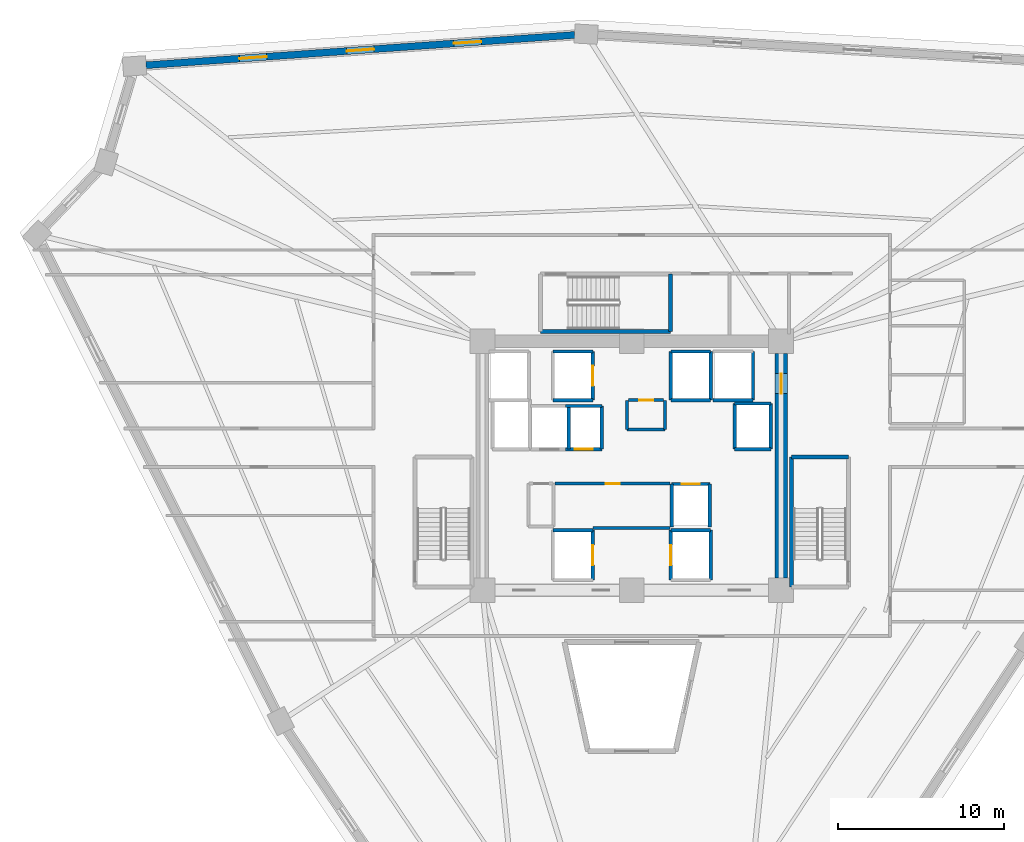
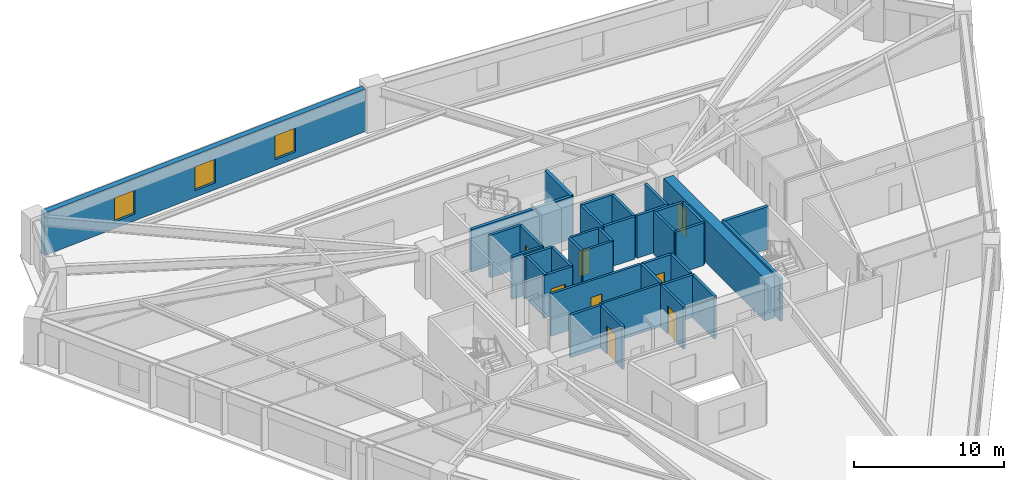
# One storey, part 5 of 8: 37 walls, 8 doors, 3 windows, 11 openings.
"""IFC4 building model written with IfcOpenShell, lengths in metres."""

from ifc_helpers import new_model, si_unit, direction, frame, frame_2d, origin, place, context, subcontext, project, spatial, rectangle, extrude, source, transform, mapped, material, layer, layer_set, type_object, element, fill, save


model = new_model("IFC4")

# Units and contexts
model_context = context("Model", 3, precision=1e-05, world=origin(), true_north=direction((0.0, 1.0)))
body_context = subcontext(model_context, "Body", "Model", "MODEL_VIEW")
ifc_project = project(units=[si_unit("LENGTHUNIT", "METRE"), si_unit("AREAUNIT", "SQUARE_METRE"), si_unit("VOLUMEUNIT", "CUBIC_METRE"), si_unit("PLANEANGLEUNIT", "RADIAN"), si_unit("MASSUNIT", "GRAM", prefix="KILO")], contexts=[model_context])

# Site, building, storey
site_placement = place(None, origin())
site = spatial("IfcSite", under=ifc_project, at=site_placement, CompositionType="ELEMENT")
building_placement = place(site_placement, origin())
building = spatial("IfcBuilding", under=site, at=building_placement, Name="Liaohun Quay Tower", CompositionType="ELEMENT")
storey_placement = place(building_placement, frame((0.0, 0.0, 135.75)))
storey = spatial("IfcBuildingStorey", under=building, at=storey_placement, Name="L35", CompositionType="ELEMENT", Elevation=135.75)

# Wall, opening, door
ifc_material_1 = material(Name="Concrete C60", Category="concrete")
ifc_layer_1 = layer(ifc_material_1, 0.75, Name="Concrete C60", Category="concrete")
ifc_layer_set_1 = layer_set([ifc_layer_1], Name="Concrete C60")
wall_type_1 = type_object("IfcWallType", Name="WAL-COR-Z2", PredefinedType="SHEAR", material=ifc_layer_set_1)
wall_1_placement = place(storey_placement, frame((69.0, 60.75, 0.0), z_axis=(0.0, 0.0, 1.0), x_axis=(0.0, -1.0, 0.0)))
wall_1 = element("IfcWall", 1, at=wall_1_placement, inside=storey, type_object=wall_type_1, Name="L35 Central Core Shear Wall E", PredefinedType="SHEAR", context=body_context, shape_type="SweptSolid", body=[
    extrude(rectangle(XDim=13.5, YDim=0.75, at=frame_2d((6.75, 0.0))), origin(), (0.0, 0.0, 1.0), 3.469970703125),
])
shared_shape_1 = source(origin(), body_context, "Body", "SweptSolid", [
    extrude(rectangle(XDim=1.199951171875, YDim=2.199951171875, at=frame_2d((0.60009765625, 1.10009765625))), frame((0.0, 0.385009765625, 0.0), z_axis=(0.0, -1.0, 0.0), x_axis=(1.0, 0.0, 0.0)), (0.0, 0.0, 1.0), 0.77001953125),
])
opening_1_placement = place(wall_1_placement, frame((1.199951171875, 0.0, 0.0)))
opening_1 = element("IfcOpeningElement", 2, at=opening_1_placement, cuts=wall_1, Name="Opening SD1", PredefinedType="OPENING", context=body_context, shape_type="MappedRepresentation", body=[
    mapped(shared_shape_1, transform((0.0, 0.0, 0.0), x_axis=(1.0, 0.0, 0.0), y_axis=(0.0, 1.0, 0.0), z_axis=(0.0, 0.0, 1.0), scale=1.0)),
])
ifc_material_2 = material(Name="Galvanised steel fire door", Category="steel")
door_type_1 = type_object("IfcDoorType", Name="DOR-STR-1200", OperationType="NOTDEFINED", PredefinedType="DOOR", material=ifc_material_2)
shared_shape_2 = source(origin(), body_context, "Body", "SweptSolid", [
    extrude(rectangle(XDim=1.199951171875, YDim=2.199951171875, at=frame_2d((0.60009765625, 1.10009765625))), frame((0.0, 0.02490234375, 0.0), z_axis=(0.0, -1.0, 0.0), x_axis=(1.0, 0.0, 0.0)), (0.0, 0.0, 1.0), 0.050048828125),
])
door_1_placement = place(opening_1_placement, origin())
door_1 = element("IfcDoor", 3, at=door_1_placement, inside=storey, type_object=door_type_1, Name="L35 North-East Core Lobby Smokeproof Door", OperationType="SINGLE_SWING_LEFT", OverallHeight=2.199951171875, OverallWidth=1.199951171875, PredefinedType="DOOR", context=body_context, shape_type="MappedRepresentation", body=[
    mapped(shared_shape_2, transform((0.0, 0.0, 0.0), x_axis=(1.0, 0.0, 0.0), y_axis=(0.0, 1.0, 0.0), z_axis=(0.0, 0.0, 1.0), scale=1.0)),
])
fill(opening_1, door_1)

# Wall, openings, windows
ifc_material_3 = material(Name="Precast concrete C50 insulated sandwich", Category="concrete")
ifc_layer_2 = layer(ifc_material_3, 0.419921875, Name="Precast concrete C50 insulated sandwich", Category="concrete")
ifc_layer_set_2 = layer_set([ifc_layer_2], Name="Precast concrete C50 insulated sandwich")
wall_type_2 = type_object("IfcWallType", Name="WAL-EXT-Z12", PredefinedType="SOLIDWALL", material=ifc_layer_set_2)
wall_2_placement = place(storey_placement, frame((56.56201171875, 79.955078125, 0.0), z_axis=(0.0, 0.0, 1.0), x_axis=(-0.997516278166, -0.070436317287, 0.0)))
wall_2 = element("IfcWall", 4, at=wall_2_placement, inside=storey, type_object=wall_type_2, Name="L35 Brutalist Precast Pier Wall 07", PredefinedType="SOLIDWALL", context=body_context, shape_type="SweptSolid", body=[
    extrude(rectangle(XDim=25.895263671875, YDim=0.419921875, at=frame_2d((12.94775390625, 0.0))), origin(), (0.0, 0.0, 1.0), 3.469970703125),
])
shared_shape_3 = source(origin(), body_context, "Body", "SweptSolid", [
    extrude(rectangle(XDim=1.64990234375, YDim=1.949951171875, at=frame_2d((0.824951171875, 0.97509765625))), frame((0.0, 0.219970703125, 0.0), z_axis=(0.0, -1.0, 0.0), x_axis=(1.0, 0.0, 0.0)), (0.0, 0.0, 1.0), 0.43994140625),
])
opening_2_placement = place(wall_2_placement, frame((5.64892578125, 0.0, 0.550048828125)))
opening_2 = element("IfcOpeningElement", 5, at=opening_2_placement, cuts=wall_2, Name="Opening W02", PredefinedType="OPENING", context=body_context, shape_type="MappedRepresentation", body=[
    mapped(shared_shape_3, transform((0.0, 0.0, 0.0), x_axis=(1.0, 0.0, 0.0), y_axis=(0.0, 1.0, 0.0), z_axis=(0.0, 0.0, 1.0), scale=1.0)),
])
opening_3_placement = place(wall_2_placement, frame((12.123046875, 0.0, 0.550048828125)))
opening_3 = element("IfcOpeningElement", 6, at=opening_3_placement, cuts=wall_2, Name="Opening W02", PredefinedType="OPENING", context=body_context, shape_type="MappedRepresentation", body=[
    mapped(shared_shape_3, transform((0.0, 0.0, 0.0), x_axis=(1.0, 0.0, 0.0), y_axis=(0.0, 1.0, 0.0), z_axis=(0.0, 0.0, 1.0), scale=1.0)),
])
opening_4_placement = place(wall_2_placement, frame((18.595947265625, 0.0, 0.550048828125)))
opening_4 = element("IfcOpeningElement", 7, at=opening_4_placement, cuts=wall_2, Name="Opening W02", PredefinedType="OPENING", context=body_context, shape_type="MappedRepresentation", body=[
    mapped(shared_shape_3, transform((0.0, 0.0, 0.0), x_axis=(1.0, 0.0, 0.0), y_axis=(0.0, 1.0, 0.0), z_axis=(0.0, 0.0, 1.0), scale=1.0)),
])
ifc_material_4 = material(Name="Triple Low-E argon glazing in thermally broken aluminium", Category="aluminium")
window_type = type_object("IfcWindowType", Name="WIN-PUN-Z2", PartitioningType="DOUBLE_PANEL_VERTICAL", PredefinedType="WINDOW", material=ifc_material_4)
shared_shape_4 = source(origin(), body_context, "Body", "SweptSolid", [
    extrude(rectangle(XDim=1.64990234375, YDim=1.949951171875, at=frame_2d((0.824951171875, 0.97509765625))), frame((0.0, 0.030029296875, 0.0), z_axis=(0.0, -1.0, 0.0), x_axis=(1.0, 0.0, 0.0)), (0.0, 0.0, 1.0), 0.06005859375),
])
window_1_placement = place(opening_2_placement, origin())
window_1 = element("IfcWindow", 8, at=window_1_placement, inside=storey, type_object=window_type, Name="L35 Recessed Cold-Climate Punched Window 07-1", OverallHeight=1.949951171875, OverallWidth=1.64990234375, PartitioningType="DOUBLE_PANEL_VERTICAL", PredefinedType="WINDOW", context=body_context, shape_type="MappedRepresentation", body=[
    mapped(shared_shape_4, transform((0.0, 0.0, 0.0), x_axis=(1.0, 0.0, 0.0), y_axis=(0.0, 1.0, 0.0), z_axis=(0.0, 0.0, 1.0), scale=1.0)),
])
fill(opening_2, window_1)
window_2_placement = place(opening_3_placement, origin())
window_2 = element("IfcWindow", 9, at=window_2_placement, inside=storey, type_object=window_type, Name="L35 Recessed Cold-Climate Punched Window 07-2", OverallHeight=1.949951171875, OverallWidth=1.64990234375, PartitioningType="DOUBLE_PANEL_VERTICAL", PredefinedType="WINDOW", context=body_context, shape_type="MappedRepresentation", body=[
    mapped(shared_shape_4, transform((0.0, 0.0, 0.0), x_axis=(1.0, 0.0, 0.0), y_axis=(0.0, 1.0, 0.0), z_axis=(0.0, 0.0, 1.0), scale=1.0)),
])
fill(opening_3, window_2)
window_3_placement = place(opening_4_placement, origin())
window_3 = element("IfcWindow", 10, at=window_3_placement, inside=storey, type_object=window_type, Name="L35 Recessed Cold-Climate Punched Window 07-3", OverallHeight=1.949951171875, OverallWidth=1.64990234375, PartitioningType="DOUBLE_PANEL_VERTICAL", PredefinedType="WINDOW", context=body_context, shape_type="MappedRepresentation", body=[
    mapped(shared_shape_4, transform((0.0, 0.0, 0.0), x_axis=(1.0, 0.0, 0.0), y_axis=(0.0, 1.0, 0.0), z_axis=(0.0, 0.0, 1.0), scale=1.0)),
])
fill(opening_4, window_3)

# Wall, opening, door
ifc_material_5 = material(Name="Autoclaved aerated concrete blockwork", Category="masonry")
ifc_layer_3 = layer(ifc_material_5, 0.179931640625, Name="Autoclaved aerated concrete blockwork", Category="masonry")
ifc_layer_set_3 = layer_set([ifc_layer_3], Name="Autoclaved aerated concrete blockwork")
wall_type_3 = type_object("IfcWallType", Name="WAL-PRT-COR", PredefinedType="PARTITIONING", material=ifc_layer_set_3)
wall_3_placement = place(storey_placement, frame((55.3701171875, 52.919921875, 0.0), z_axis=(0.0, 0.0, 1.0), x_axis=(1.0, 0.0, 0.0)))
wall_3 = element("IfcWall", 11, at=wall_3_placement, inside=storey, type_object=wall_type_3, Name="L35 Interior Partition Wall 001", PredefinedType="PARTITIONING", context=body_context, shape_type="SweptSolid", body=[
    extrude(rectangle(XDim=6.929931640625, YDim=0.179931640625, at=frame_2d((3.46484375, 0.0))), origin(), (0.0, 0.0, 1.0), 3.469970703125),
])
shared_shape_5 = source(origin(), body_context, "Body", "SweptSolid", [
    extrude(rectangle(XDim=0.85009765625, YDim=2.10009765625, at=frame_2d((0.425048828125, 1.050048828125))), frame((0.0, 0.099853515625, 0.0), z_axis=(0.0, -1.0, 0.0), x_axis=(1.0, 0.0, 0.0)), (0.0, 0.0, 1.0), 0.199951171875),
])
opening_5_placement = place(wall_3_placement, frame((3.054931640625, 0.0, 0.0)))
opening_5 = element("IfcOpeningElement", 12, at=opening_5_placement, cuts=wall_3, Name="Opening AD1", PredefinedType="OPENING", context=body_context, shape_type="MappedRepresentation", body=[
    mapped(shared_shape_5, transform((0.0, 0.0, 0.0), x_axis=(1.0, 0.0, 0.0), y_axis=(0.0, 1.0, 0.0), z_axis=(0.0, 0.0, 1.0), scale=1.0)),
])
ifc_material_6 = material(Name="Steel riser inspection fire door", Category="steel")
door_type_2 = type_object("IfcDoorType", Name="DOR-SHF-850", OperationType="NOTDEFINED", PredefinedType="DOOR", material=ifc_material_6)
shared_shape_6 = source(origin(), body_context, "Body", "SweptSolid", [
    extrude(rectangle(XDim=0.85009765625, YDim=2.10009765625, at=frame_2d((0.425048828125, 1.050048828125))), frame((0.0, 0.02490234375, 0.0), z_axis=(0.0, -1.0, 0.0), x_axis=(1.0, 0.0, 0.0)), (0.0, 0.0, 1.0), 0.050048828125),
])
door_2_placement = place(opening_5_placement, origin())
door_2 = element("IfcDoor", 13, at=door_2_placement, inside=storey, type_object=door_type_2, Name="L35 Core Tenant Storage and Archive Room Door", OperationType="SINGLE_SWING_LEFT", OverallHeight=2.10009765625, OverallWidth=0.85009765625, PredefinedType="DOOR", context=body_context, shape_type="MappedRepresentation", body=[
    mapped(shared_shape_6, transform((0.0, 0.0, 0.0), x_axis=(1.0, 0.0, 0.0), y_axis=(0.0, 1.0, 0.0), z_axis=(0.0, 0.0, 1.0), scale=1.0)),
])
fill(opening_5, door_2)

wall_4_placement = place(storey_placement, frame((59.81005859375, 57.949951171875, 0.0), z_axis=(0.0, 0.0, 1.0), x_axis=(1.0, 0.0, 0.0)))
wall_4 = element("IfcWall", 14, at=wall_4_placement, inside=storey, type_object=wall_type_3, Name="L35 Interior Partition Wall 002", PredefinedType="PARTITIONING", context=body_context, shape_type="SweptSolid", body=[
    extrude(rectangle(XDim=2.10986328125, YDim=0.179931640625, at=frame_2d((1.054931640625, 0.0))), origin(), (0.0, 0.0, 1.0), 3.469970703125),
])
opening_6_placement = place(wall_4_placement, frame((0.635009765625, 0.0, 0.0)))
opening_6 = element("IfcOpeningElement", 15, at=opening_6_placement, cuts=wall_4, Name="Opening AD1", PredefinedType="OPENING", context=body_context, shape_type="MappedRepresentation", body=[
    mapped(shared_shape_5, transform((0.0, 0.0, 0.0), x_axis=(1.0, 0.0, 0.0), y_axis=(0.0, 1.0, 0.0), z_axis=(0.0, 0.0, 1.0), scale=1.0)),
])
door_3_placement = place(opening_6_placement, origin())
door_3 = element("IfcDoor", 16, at=door_3_placement, inside=storey, type_object=door_type_2, Name="L35 Core Janitor and Cleaner Store Door", OperationType="SINGLE_SWING_RIGHT", OverallHeight=2.10009765625, OverallWidth=0.85009765625, PredefinedType="DOOR", context=body_context, shape_type="MappedRepresentation", body=[
    mapped(shared_shape_6, transform((0.0, 0.0, 0.0), x_axis=(1.0, 0.0, 0.0), y_axis=(0.0, 1.0, 0.0), z_axis=(0.0, 0.0, 1.0), scale=1.0)),
])
fill(opening_6, door_3)

# Walls
for number, where, z_axis, x_axis, name in (
    (17, (59.719970703125, 56.179931640625, 0.0), (0.0, 0.0, 1.0), (0.0, 1.0, 0.0), "L35 Interior Partition Wall 021"),
    (18, (62.010009765625, 56.179931640625, 0.0), (0.0, 0.0, 1.0), (0.0, 1.0, 0.0), "L35 Interior Partition Wall 022"),
):
    element("IfcWall", number, at=place(storey_placement, frame(where, z_axis=z_axis, x_axis=x_axis)), inside=storey, type_object=wall_type_3, Name=name, PredefinedType="PARTITIONING", context=body_context, shape_type="SweptSolid", body=[
        extrude(rectangle(XDim=1.739990234375, YDim=0.179931640625, at=frame_2d((0.8701171875, 0.0))), origin(), (0.0, 0.0, 1.0), 3.469970703125),
    ])
wall_5_placement = place(storey_placement, frame((59.719970703125, 56.179931640625, 0.0), z_axis=(0.0, 0.0, 1.0), x_axis=(1.0, 0.0, 0.0)))
element("IfcWall", 19, at=wall_5_placement, inside=storey, type_object=wall_type_3, Name="L35 Interior Partition Wall 023", PredefinedType="PARTITIONING", context=body_context, shape_type="SweptSolid", body=[
    extrude(rectangle(XDim=2.2900390625, YDim=0.179931640625, at=frame_2d((1.14501953125, 0.0))), origin(), (0.0, 0.0, 1.0), 3.469970703125),
])
wall_6_placement = place(storey_placement, frame((57.64990234375, 50.25, 0.0), z_axis=(0.0, 0.0, 1.0), x_axis=(1.0, 0.0, 0.0)))
element("IfcWall", 20, at=wall_6_placement, inside=storey, type_object=wall_type_3, Name="L35 Interior Partition Wall 051", PredefinedType="PARTITIONING", context=body_context, shape_type="SweptSolid", body=[
    extrude(rectangle(XDim=4.650146484375, YDim=0.179931640625, at=frame_2d((2.3251953125, 0.0))), origin(), (0.0, 0.0, 1.0), 3.469970703125),
])
ifc_material_7 = material(Name="Concrete C50", Category="concrete")
ifc_layer_4 = layer(ifc_material_7, 0.239990234375, Name="Concrete C50", Category="concrete")
ifc_layer_set_4 = layer_set([ifc_layer_4], Name="Concrete C50")
wall_type_4 = type_object("IfcWallType", Name="WAL-SHF-200", PredefinedType="SOLIDWALL", material=ifc_layer_set_4)
wall_7_placement = place(storey_placement, frame((73.06005859375, 54.52001953125, 0.0), z_axis=(0.0, 0.0, 1.0), x_axis=(-1.0, 0.0, 0.0)))
element("IfcWall", 21, at=wall_7_placement, inside=storey, type_object=wall_type_4, Name="L35 Stairwell ST-2 Structural Core Wall N", PredefinedType="SOLIDWALL", context=body_context, shape_type="SweptSolid", body=[
    extrude(rectangle(XDim=3.43994140625, YDim=0.239990234375, at=frame_2d((1.719970703125, 0.0))), origin(), (0.0, 0.0, 1.0), 3.469970703125),
])
for number, where, z_axis, x_axis, name in (
    (22, (69.6201171875, 54.52001953125, 0.0), (0.0, 0.0, 1.0), (0.0, -1.0, 0.0), "L35 Stairwell ST-2 Structural Core Wall W"),
    (23, (54.5, 62.10009765625, 0.0), (0.0, 0.0, 1.0), (1.0, 0.0, 0.0), "L35 Stairwell ST-3 Structural Core Wall S"),
):
    element("IfcWall", number, at=place(storey_placement, frame(where, z_axis=z_axis, x_axis=x_axis)), inside=storey, type_object=wall_type_4, Name=name, PredefinedType="SOLIDWALL", context=body_context, shape_type="SweptSolid", body=[
        extrude(rectangle(XDim=7.820068359375, YDim=0.239990234375, at=frame_2d((3.91015625, 0.0))), origin(), (0.0, 0.0, 1.0), 3.469970703125),
    ])
wall_8_placement = place(storey_placement, frame((62.320068359375, 62.10009765625, 0.0), z_axis=(0.0, 0.0, 1.0), x_axis=(0.0, 1.0, 0.0)))
element("IfcWall", 24, at=wall_8_placement, inside=storey, type_object=wall_type_4, Name="L35 Stairwell ST-3 Structural Core Wall E", PredefinedType="SOLIDWALL", context=body_context, shape_type="SweptSolid", body=[
    extrude(rectangle(XDim=3.43994140625, YDim=0.239990234375, at=frame_2d((1.719970703125, 0.0))), origin(), (0.0, 0.0, 1.0), 3.469970703125),
])

# Wall, opening, door
wall_9_placement = place(storey_placement, frame((57.64990234375, 47.1201171875, 0.0), z_axis=(0.0, 0.0, 1.0), x_axis=(0.0, 1.0, 0.0)))
wall_9 = element("IfcWall", 25, at=wall_9_placement, inside=storey, type_object=wall_type_4, Name="L35 Lift FF-01 Hoistway Wall E", PredefinedType="SOLIDWALL", context=body_context, shape_type="SweptSolid", body=[
    extrude(rectangle(XDim=3.0, YDim=0.199951171875, at=frame_2d((1.5, 0.0))), origin(), (0.0, 0.0, 1.0), 3.469970703125),
])
shared_shape_7 = source(origin(), body_context, "Body", "SweptSolid", [
    extrude(rectangle(XDim=1.199951171875, YDim=2.300048828125, at=frame_2d((0.60009765625, 1.14990234375))), frame((0.0, 0.10986328125, 0.0), z_axis=(0.0, -1.0, 0.0), x_axis=(1.0, 0.0, 0.0)), (0.0, 0.0, 1.0), 0.219970703125),
])
opening_7_placement = place(wall_9_placement, frame((0.89990234375, 0.0, 0.0)))
opening_7 = element("IfcOpeningElement", 26, at=opening_7_placement, cuts=wall_9, Name="Opening LD2", PredefinedType="OPENING", context=body_context, shape_type="MappedRepresentation", body=[
    mapped(shared_shape_7, transform((0.0, 0.0, 0.0), x_axis=(1.0, 0.0, 0.0), y_axis=(0.0, 1.0, 0.0), z_axis=(0.0, 0.0, 1.0), scale=1.0)),
])
ifc_material_8 = material(Name="Brushed stainless steel stretcher landing door", Category="steel")
door_type_3 = type_object("IfcDoorType", Name="DOR-LFT-1200", OperationType="SLIDING_TO_LEFT", PredefinedType="DOOR", material=ifc_material_8)
shared_shape_8 = source(origin(), body_context, "Body", "SweptSolid", [
    extrude(rectangle(XDim=1.199951171875, YDim=2.300048828125, at=frame_2d((0.60009765625, 1.14990234375))), frame((0.0, 0.02490234375, 0.0), z_axis=(0.0, -1.0, 0.0), x_axis=(1.0, 0.0, 0.0)), (0.0, 0.0, 1.0), 0.050048828125),
])
door_4_placement = place(opening_7_placement, origin())
door_4 = element("IfcDoor", 27, at=door_4_placement, inside=storey, type_object=door_type_3, Name="L35 Lift FF-01 Sliding Landing Door", OperationType="SLIDING_TO_LEFT", OverallHeight=2.300048828125, OverallWidth=1.199951171875, PredefinedType="DOOR", context=body_context, shape_type="MappedRepresentation", body=[
    mapped(shared_shape_8, transform((0.0, 0.0, 0.0), x_axis=(1.0, 0.0, 0.0), y_axis=(0.0, 1.0, 0.0), z_axis=(0.0, 0.0, 1.0), scale=1.0)),
])
fill(opening_7, door_4)

# Walls
wall_10_placement = place(storey_placement, frame((57.64990234375, 50.1201171875, 0.0), z_axis=(0.0, 0.0, 1.0), x_axis=(-1.0, 0.0, 0.0)))
element("IfcWall", 28, at=wall_10_placement, inside=storey, type_object=wall_type_4, Name="L35 Lift FF-01 Hoistway Wall N", PredefinedType="SOLIDWALL", context=body_context, shape_type="SweptSolid", body=[
    extrude(rectangle(XDim=2.39990234375, YDim=0.199951171875, at=frame_2d((1.199951171875, 0.0))), origin(), (0.0, 0.0, 1.0), 3.469970703125),
])
wall_11_placement = place(storey_placement, frame((64.75, 47.1201171875, 0.0), z_axis=(0.0, 0.0, 1.0), x_axis=(0.0, 1.0, 0.0)))
element("IfcWall", 29, at=wall_11_placement, inside=storey, type_object=wall_type_4, Name="L35 Lift FF-02 Hoistway Wall E", PredefinedType="SOLIDWALL", context=body_context, shape_type="SweptSolid", body=[
    extrude(rectangle(XDim=3.0, YDim=0.199951171875, at=frame_2d((1.5, 0.0))), origin(), (0.0, 0.0, 1.0), 3.469970703125),
])
wall_12_placement = place(storey_placement, frame((64.75, 50.1201171875, 0.0), z_axis=(0.0, 0.0, 1.0), x_axis=(-1.0, 0.0, 0.0)))
element("IfcWall", 30, at=wall_12_placement, inside=storey, type_object=wall_type_4, Name="L35 Lift FF-02 Hoistway Wall N", PredefinedType="SOLIDWALL", context=body_context, shape_type="SweptSolid", body=[
    extrude(rectangle(XDim=2.39990234375, YDim=0.199951171875, at=frame_2d((1.199951171875, 0.0))), origin(), (0.0, 0.0, 1.0), 3.469970703125),
])

# Wall, opening, door
wall_13_placement = place(storey_placement, frame((62.35009765625, 50.1201171875, 0.0), z_axis=(0.0, 0.0, 1.0), x_axis=(0.0, -1.0, 0.0)))
wall_13 = element("IfcWall", 31, at=wall_13_placement, inside=storey, type_object=wall_type_4, Name="L35 Lift FF-02 Hoistway Wall W", PredefinedType="SOLIDWALL", context=body_context, shape_type="SweptSolid", body=[
    extrude(rectangle(XDim=3.0, YDim=0.199951171875, at=frame_2d((1.5, 0.0))), origin(), (0.0, 0.0, 1.0), 3.469970703125),
])
opening_8_placement = place(wall_13_placement, frame((0.89990234375, 0.0, 0.0)))
opening_8 = element("IfcOpeningElement", 32, at=opening_8_placement, cuts=wall_13, Name="Opening LD2", PredefinedType="OPENING", context=body_context, shape_type="MappedRepresentation", body=[
    mapped(shared_shape_7, transform((0.0, 0.0, 0.0), x_axis=(1.0, 0.0, 0.0), y_axis=(0.0, 1.0, 0.0), z_axis=(0.0, 0.0, 1.0), scale=1.0)),
])
door_5_placement = place(opening_8_placement, origin())
door_5 = element("IfcDoor", 33, at=door_5_placement, inside=storey, type_object=door_type_3, Name="L35 Lift FF-02 Sliding Landing Door", OperationType="SLIDING_TO_LEFT", OverallHeight=2.300048828125, OverallWidth=1.199951171875, PredefinedType="DOOR", context=body_context, shape_type="MappedRepresentation", body=[
    mapped(shared_shape_8, transform((0.0, 0.0, 0.0), x_axis=(1.0, 0.0, 0.0), y_axis=(0.0, 1.0, 0.0), z_axis=(0.0, 0.0, 1.0), scale=1.0)),
])
fill(opening_8, door_5)

# Wall
wall_14_placement = place(storey_placement, frame((55.25, 57.949951171875, 0.0), z_axis=(0.0, 0.0, 1.0), x_axis=(1.0, 0.0, 0.0)))
element("IfcWall", 34, at=wall_14_placement, inside=storey, type_object=wall_type_4, Name="L35 Lift FF-03 Hoistway Wall S", PredefinedType="SOLIDWALL", context=body_context, shape_type="SweptSolid", body=[
    extrude(rectangle(XDim=2.39990234375, YDim=0.199951171875, at=frame_2d((1.199951171875, 0.0))), origin(), (0.0, 0.0, 1.0), 3.469970703125),
])

# Wall, opening, door
wall_15_placement = place(storey_placement, frame((57.64990234375, 57.949951171875, 0.0), z_axis=(0.0, 0.0, 1.0), x_axis=(0.0, 1.0, 0.0)))
wall_15 = element("IfcWall", 35, at=wall_15_placement, inside=storey, type_object=wall_type_4, Name="L35 Lift FF-03 Hoistway Wall E", PredefinedType="SOLIDWALL", context=body_context, shape_type="SweptSolid", body=[
    extrude(rectangle(XDim=2.929931640625, YDim=0.199951171875, at=frame_2d((1.46484375, 0.0))), origin(), (0.0, 0.0, 1.0), 3.469970703125),
])
opening_9_placement = place(wall_15_placement, frame((0.864990234375, 0.0, 0.0)))
opening_9 = element("IfcOpeningElement", 36, at=opening_9_placement, cuts=wall_15, Name="Opening LD2", PredefinedType="OPENING", context=body_context, shape_type="MappedRepresentation", body=[
    mapped(shared_shape_7, transform((0.0, 0.0, 0.0), x_axis=(1.0, 0.0, 0.0), y_axis=(0.0, 1.0, 0.0), z_axis=(0.0, 0.0, 1.0), scale=1.0)),
])
door_6_placement = place(opening_9_placement, origin())
door_6 = element("IfcDoor", 37, at=door_6_placement, inside=storey, type_object=door_type_3, Name="L35 Lift FF-03 Sliding Landing Door", OperationType="SLIDING_TO_LEFT", OverallHeight=2.300048828125, OverallWidth=1.199951171875, PredefinedType="DOOR", context=body_context, shape_type="MappedRepresentation", body=[
    mapped(shared_shape_8, transform((0.0, 0.0, 0.0), x_axis=(1.0, 0.0, 0.0), y_axis=(0.0, 1.0, 0.0), z_axis=(0.0, 0.0, 1.0), scale=1.0)),
])
fill(opening_9, door_6)

# Walls
for number, where, z_axis, x_axis, name in (
    (38, (57.64990234375, 60.8798828125, 0.0), (0.0, 0.0, 1.0), (-1.0, 0.0, 0.0), "L35 Lift FF-03 Hoistway Wall N"),
    (39, (62.35009765625, 57.949951171875, 0.0), (0.0, 0.0, 1.0), (1.0, 0.0, 0.0), "L35 Lift OB-01 Hoistway Wall S"),
):
    element("IfcWall", number, at=place(storey_placement, frame(where, z_axis=z_axis, x_axis=x_axis)), inside=storey, type_object=wall_type_4, Name=name, PredefinedType="SOLIDWALL", context=body_context, shape_type="SweptSolid", body=[
        extrude(rectangle(XDim=2.39990234375, YDim=0.199951171875, at=frame_2d((1.199951171875, 0.0))), origin(), (0.0, 0.0, 1.0), 3.469970703125),
    ])
wall_16_placement = place(storey_placement, frame((64.75, 57.949951171875, 0.0), z_axis=(0.0, 0.0, 1.0), x_axis=(0.0, 1.0, 0.0)))
element("IfcWall", 40, at=wall_16_placement, inside=storey, type_object=wall_type_4, Name="L35 Lift OB-01 Hoistway Wall E", PredefinedType="SOLIDWALL", context=body_context, shape_type="SweptSolid", body=[
    extrude(rectangle(XDim=2.929931640625, YDim=0.199951171875, at=frame_2d((1.46484375, 0.0))), origin(), (0.0, 0.0, 1.0), 3.469970703125),
])
wall_17_placement = place(storey_placement, frame((64.75, 60.8798828125, 0.0), z_axis=(0.0, 0.0, 1.0), x_axis=(-1.0, 0.0, 0.0)))
element("IfcWall", 41, at=wall_17_placement, inside=storey, type_object=wall_type_4, Name="L35 Lift OB-01 Hoistway Wall N", PredefinedType="SOLIDWALL", context=body_context, shape_type="SweptSolid", body=[
    extrude(rectangle(XDim=2.39990234375, YDim=0.199951171875, at=frame_2d((1.199951171875, 0.0))), origin(), (0.0, 0.0, 1.0), 3.469970703125),
])
wall_18_placement = place(storey_placement, frame((62.35009765625, 60.8798828125, 0.0), z_axis=(0.0, 0.0, 1.0), x_axis=(0.0, -1.0, 0.0)))
element("IfcWall", 42, at=wall_18_placement, inside=storey, type_object=wall_type_4, Name="L35 Lift OB-01 Hoistway Wall W", PredefinedType="SOLIDWALL", context=body_context, shape_type="SweptSolid", body=[
    extrude(rectangle(XDim=2.929931640625, YDim=0.199951171875, at=frame_2d((1.46484375, 0.0))), origin(), (0.0, 0.0, 1.0), 3.469970703125),
])
wall_19_placement = place(storey_placement, frame((64.89990234375, 57.949951171875, 0.0), z_axis=(0.0, 0.0, 1.0), x_axis=(1.0, 0.0, 0.0)))
element("IfcWall", 43, at=wall_19_placement, inside=storey, type_object=wall_type_4, Name="L35 Lift OB-02 Hoistway Wall S", PredefinedType="SOLIDWALL", context=body_context, shape_type="SweptSolid", body=[
    extrude(rectangle(XDim=2.400146484375, YDim=0.199951171875, at=frame_2d((1.2001953125, 0.0))), origin(), (0.0, 0.0, 1.0), 3.469970703125),
])
wall_20_placement = place(storey_placement, frame((67.300048828125, 57.949951171875, 0.0), z_axis=(0.0, 0.0, 1.0), x_axis=(0.0, 1.0, 0.0)))
element("IfcWall", 44, at=wall_20_placement, inside=storey, type_object=wall_type_4, Name="L35 Lift OB-02 Hoistway Wall E", PredefinedType="SOLIDWALL", context=body_context, shape_type="SweptSolid", body=[
    extrude(rectangle(XDim=2.929931640625, YDim=0.199951171875, at=frame_2d((1.46484375, 0.0))), origin(), (0.0, 0.0, 1.0), 3.469970703125),
])
wall_21_placement = place(storey_placement, frame((66.199951171875, 55.0, 0.0), z_axis=(0.0, 0.0, 1.0), x_axis=(1.0, 0.0, 0.0)))
element("IfcWall", 45, at=wall_21_placement, inside=storey, type_object=wall_type_4, Name="L35 Lift SH-03 Hoistway Wall S", PredefinedType="SOLIDWALL", context=body_context, shape_type="SweptSolid", body=[
    extrude(rectangle(XDim=2.179931640625, YDim=0.199951171875, at=frame_2d((1.08984375, 0.0))), origin(), (0.0, 0.0, 1.0), 3.469970703125),
])
wall_22_placement = place(storey_placement, frame((68.3798828125, 55.0, 0.0), z_axis=(0.0, 0.0, 1.0), x_axis=(0.0, 1.0, 0.0)))
element("IfcWall", 46, at=wall_22_placement, inside=storey, type_object=wall_type_4, Name="L35 Lift SH-03 Hoistway Wall E", PredefinedType="SOLIDWALL", context=body_context, shape_type="SweptSolid", body=[
    extrude(rectangle(XDim=2.75, YDim=0.199951171875, at=frame_2d((1.375, 0.0))), origin(), (0.0, 0.0, 1.0), 3.469970703125),
])
wall_23_placement = place(storey_placement, frame((68.3798828125, 57.75, 0.0), z_axis=(0.0, 0.0, 1.0), x_axis=(-1.0, 0.0, 0.0)))
element("IfcWall", 47, at=wall_23_placement, inside=storey, type_object=wall_type_4, Name="L35 Lift SH-03 Hoistway Wall N", PredefinedType="SOLIDWALL", context=body_context, shape_type="SweptSolid", body=[
    extrude(rectangle(XDim=2.179931640625, YDim=0.199951171875, at=frame_2d((1.08984375, 0.0))), origin(), (0.0, 0.0, 1.0), 3.469970703125),
])
wall_24_placement = place(storey_placement, frame((66.199951171875, 57.75, 0.0), z_axis=(0.0, 0.0, 1.0), x_axis=(0.0, -1.0, 0.0)))
element("IfcWall", 48, at=wall_24_placement, inside=storey, type_object=wall_type_4, Name="L35 Lift SH-03 Hoistway Wall W", PredefinedType="SOLIDWALL", context=body_context, shape_type="SweptSolid", body=[
    extrude(rectangle(XDim=2.75, YDim=0.199951171875, at=frame_2d((1.375, 0.0))), origin(), (0.0, 0.0, 1.0), 3.469970703125),
])
wall_25_placement = place(storey_placement, frame((64.699951171875, 50.300048828125, 0.0), z_axis=(0.0, 0.0, 1.0), x_axis=(0.0, 1.0, 0.0)))
element("IfcWall", 49, at=wall_25_placement, inside=storey, type_object=wall_type_4, Name="L35 Lift PL-2A Hoistway Wall E", PredefinedType="SOLIDWALL", context=body_context, shape_type="SweptSolid", body=[
    extrude(rectangle(XDim=2.599853515625, YDim=0.199951171875, at=frame_2d((1.2998046875, 0.0))), origin(), (0.0, 0.0, 1.0), 3.469970703125),
])

# Wall, opening, door
wall_26_placement = place(storey_placement, frame((64.699951171875, 52.89990234375, 0.0), z_axis=(0.0, 0.0, 1.0), x_axis=(-1.0, 0.0, 0.0)))
wall_26 = element("IfcWall", 50, at=wall_26_placement, inside=storey, type_object=wall_type_4, Name="L35 Lift PL-2A Hoistway Wall N", PredefinedType="SOLIDWALL", context=body_context, shape_type="SweptSolid", body=[
    extrude(rectangle(XDim=2.300048828125, YDim=0.199951171875, at=frame_2d((1.14990234375, 0.0))), origin(), (0.0, 0.0, 1.0), 3.469970703125),
])
shared_shape_9 = source(origin(), body_context, "Body", "SweptSolid", [
    extrude(rectangle(XDim=1.10009765625, YDim=2.199951171875, at=frame_2d((0.550048828125, 1.10009765625))), frame((0.0, 0.10986328125, 0.0), z_axis=(0.0, -1.0, 0.0), x_axis=(1.0, 0.0, 0.0)), (0.0, 0.0, 1.0), 0.219970703125),
])
opening_10_placement = place(wall_26_placement, frame((0.60009765625, 0.0, 0.0)))
opening_10 = element("IfcOpeningElement", 51, at=opening_10_placement, cuts=wall_26, Name="Opening LD1", PredefinedType="OPENING", context=body_context, shape_type="MappedRepresentation", body=[
    mapped(shared_shape_9, transform((0.0, 0.0, 0.0), x_axis=(1.0, 0.0, 0.0), y_axis=(0.0, 1.0, 0.0), z_axis=(0.0, 0.0, 1.0), scale=1.0)),
])
ifc_material_9 = material(Name="Brushed stainless steel landing door", Category="steel")
door_type_4 = type_object("IfcDoorType", Name="DOR-LFT-1100", OperationType="SLIDING_TO_LEFT", PredefinedType="DOOR", material=ifc_material_9)
shared_shape_10 = source(origin(), body_context, "Body", "SweptSolid", [
    extrude(rectangle(XDim=1.10009765625, YDim=2.199951171875, at=frame_2d((0.550048828125, 1.10009765625))), frame((0.0, 0.02490234375, 0.0), z_axis=(0.0, -1.0, 0.0), x_axis=(1.0, 0.0, 0.0)), (0.0, 0.0, 1.0), 0.050048828125),
])
door_7_placement = place(opening_10_placement, origin())
door_7 = element("IfcDoor", 52, at=door_7_placement, inside=storey, type_object=door_type_4, Name="L35 Lift PL-2A Sliding Landing Door", OperationType="SLIDING_TO_LEFT", OverallHeight=2.199951171875, OverallWidth=1.10009765625, PredefinedType="DOOR", context=body_context, shape_type="MappedRepresentation", body=[
    mapped(shared_shape_10, transform((0.0, 0.0, 0.0), x_axis=(1.0, 0.0, 0.0), y_axis=(0.0, 1.0, 0.0), z_axis=(0.0, 0.0, 1.0), scale=1.0)),
])
fill(opening_10, door_7)

# Walls
wall_27_placement = place(storey_placement, frame((62.39990234375, 52.89990234375, 0.0), z_axis=(0.0, 0.0, 1.0), x_axis=(0.0, -1.0, 0.0)))
element("IfcWall", 53, at=wall_27_placement, inside=storey, type_object=wall_type_4, Name="L35 Lift PL-2A Hoistway Wall W", PredefinedType="SOLIDWALL", context=body_context, shape_type="SweptSolid", body=[
    extrude(rectangle(XDim=2.599853515625, YDim=0.199951171875, at=frame_2d((1.2998046875, 0.0))), origin(), (0.0, 0.0, 1.0), 3.469970703125),
])
wall_28_placement = place(storey_placement, frame((56.199951171875, 55.0, 0.0), z_axis=(0.0, 0.0, 1.0), x_axis=(0.0, 1.0, 0.0)))
element("IfcWall", 54, at=wall_28_placement, inside=storey, type_object=wall_type_4, Name="L35 Lift PL-2B Hoistway Wall E", PredefinedType="SOLIDWALL", context=body_context, shape_type="SweptSolid", body=[
    extrude(rectangle(XDim=2.60009765625, YDim=0.199951171875, at=frame_2d((1.300048828125, 0.0))), origin(), (0.0, 0.0, 1.0), 3.469970703125),
])

# Wall, opening, door
wall_29_placement = place(storey_placement, frame((56.0, 55.0, 0.0), z_axis=(0.0, 0.0, 1.0), x_axis=(1.0, 0.0, 0.0)))
wall_29 = element("IfcWall", 55, at=wall_29_placement, inside=storey, type_object=wall_type_4, Name="L35 Lift PL-2C Hoistway Wall S", PredefinedType="SOLIDWALL", context=body_context, shape_type="SweptSolid", body=[
    extrude(rectangle(XDim=2.199951171875, YDim=0.199951171875, at=frame_2d((1.10009765625, 0.0))), origin(), (0.0, 0.0, 1.0), 3.469970703125),
])
opening_11_placement = place(wall_29_placement, frame((0.550048828125, 0.0, 0.0)))
opening_11 = element("IfcOpeningElement", 56, at=opening_11_placement, cuts=wall_29, Name="Opening LD1", PredefinedType="OPENING", context=body_context, shape_type="MappedRepresentation", body=[
    mapped(shared_shape_9, transform((0.0, 0.0, 0.0), x_axis=(1.0, 0.0, 0.0), y_axis=(0.0, 1.0, 0.0), z_axis=(0.0, 0.0, 1.0), scale=1.0)),
])
door_8_placement = place(opening_11_placement, origin())
door_8 = element("IfcDoor", 57, at=door_8_placement, inside=storey, type_object=door_type_4, Name="L35 Lift PL-2C Sliding Landing Door", OperationType="SLIDING_TO_LEFT", OverallHeight=2.199951171875, OverallWidth=1.10009765625, PredefinedType="DOOR", context=body_context, shape_type="MappedRepresentation", body=[
    mapped(shared_shape_10, transform((0.0, 0.0, 0.0), x_axis=(1.0, 0.0, 0.0), y_axis=(0.0, 1.0, 0.0), z_axis=(0.0, 0.0, 1.0), scale=1.0)),
])
fill(opening_11, door_8)

# Walls
wall_30_placement = place(storey_placement, frame((58.199951171875, 55.0, 0.0), z_axis=(0.0, 0.0, 1.0), x_axis=(0.0, 1.0, 0.0)))
element("IfcWall", 58, at=wall_30_placement, inside=storey, type_object=wall_type_4, Name="L35 Lift PL-2C Hoistway Wall E", PredefinedType="SOLIDWALL", context=body_context, shape_type="SweptSolid", body=[
    extrude(rectangle(XDim=2.60009765625, YDim=0.199951171875, at=frame_2d((1.300048828125, 0.0))), origin(), (0.0, 0.0, 1.0), 3.469970703125),
])
wall_31_placement = place(storey_placement, frame((58.199951171875, 57.60009765625, 0.0), z_axis=(0.0, 0.0, 1.0), x_axis=(-1.0, 0.0, 0.0)))
element("IfcWall", 59, at=wall_31_placement, inside=storey, type_object=wall_type_4, Name="L35 Lift PL-2C Hoistway Wall N", PredefinedType="SOLIDWALL", context=body_context, shape_type="SweptSolid", body=[
    extrude(rectangle(XDim=2.199951171875, YDim=0.199951171875, at=frame_2d((1.10009765625, 0.0))), origin(), (0.0, 0.0, 1.0), 3.469970703125),
])

save(model, "model.ifc")
